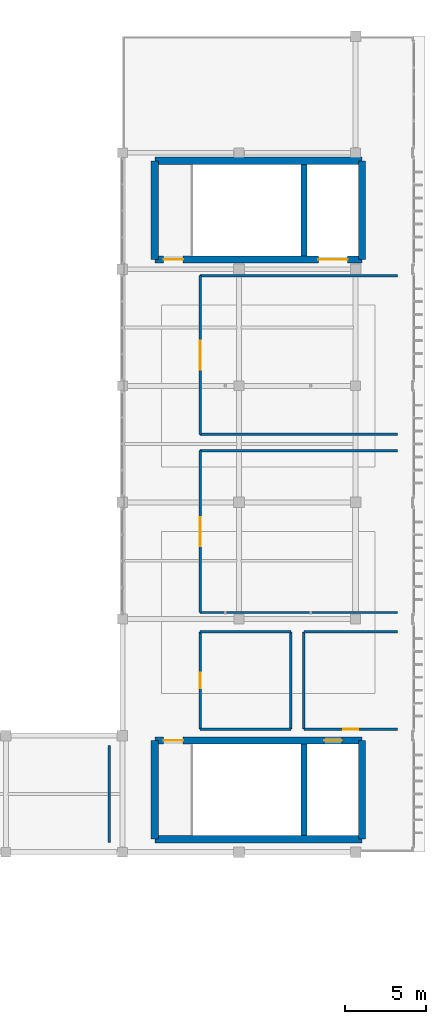
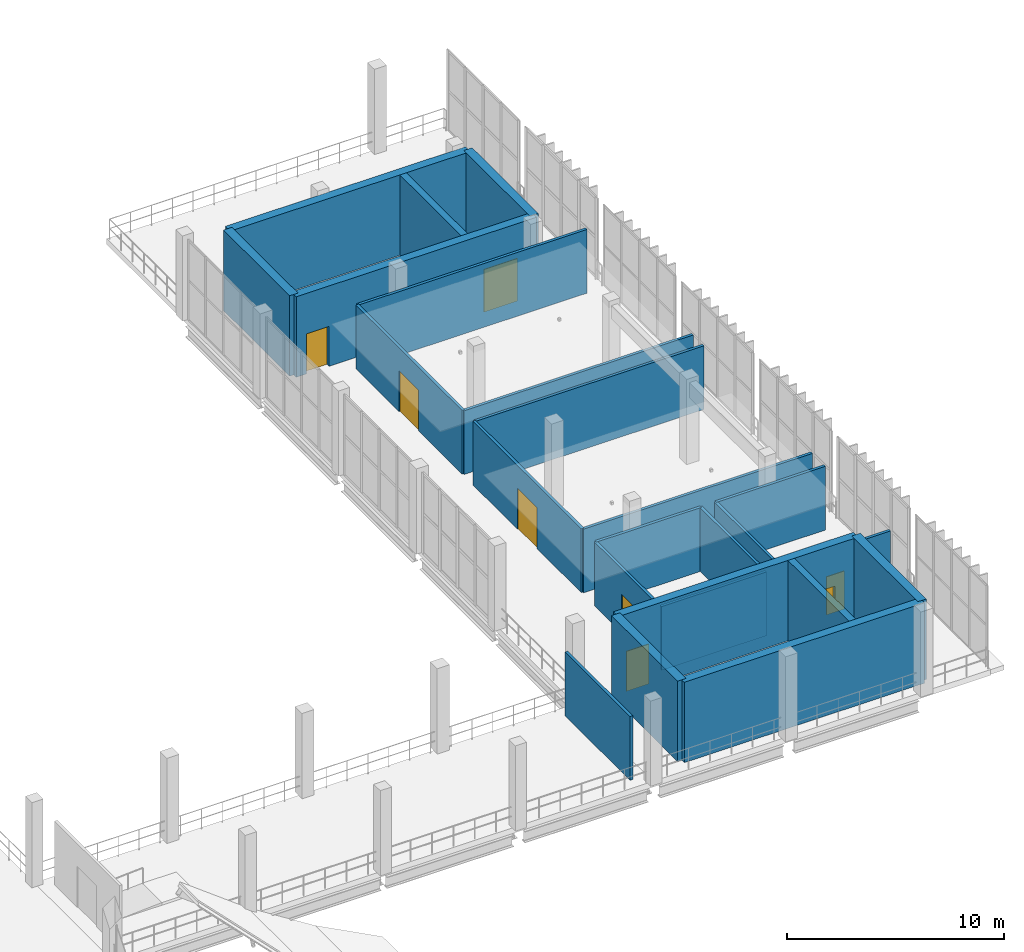
# One storey, part 87 of 105: 24 walls, 8 doors, 8 openings.
"""IFC4 building model written with IfcOpenShell, lengths in metres."""

from ifc_helpers import new_model, si_unit, direction, frame, frame_2d, origin, place, context, subcontext, project, spatial, rectangle, extrude, material, layer, layer_set, type_object, element, fill, save


model = new_model("IFC4")

# Units and contexts
model_context = context("Model", 3, precision=1e-05, world=origin(), true_north=direction((0.0, 1.0)))
body_context = subcontext(model_context, "Body", "Model", "MODEL_VIEW")
ifc_project = project(units=[si_unit("LENGTHUNIT", "METRE"), si_unit("AREAUNIT", "SQUARE_METRE"), si_unit("VOLUMEUNIT", "CUBIC_METRE"), si_unit("PLANEANGLEUNIT", "RADIAN"), si_unit("MASSUNIT", "GRAM", prefix="KILO")], contexts=[model_context])

# Site, building, storey
site_placement = place(None, origin())
site = spatial("IfcSite", under=ifc_project, at=site_placement, CompositionType="ELEMENT")
building_placement = place(site_placement, origin())
building = spatial("IfcBuilding", under=site, at=building_placement, Name="Qandorah Velis Arena", CompositionType="ELEMENT")
storey_placement = place(building_placement, frame((0.0, 0.0, 13.800048828125)))
storey = spatial("IfcBuildingStorey", under=building, at=storey_placement, Name="L03", CompositionType="ELEMENT", Elevation=13.800048828125)

# Walls
ifc_material_1 = material(Name="Concrete C35/45", Category="concrete")
ifc_layer_1 = layer(ifc_material_1, 0.14990234375)
ifc_layer_set_1 = layer_set([ifc_layer_1], Name="Concrete C35/45")
wall_type_1 = type_object("IfcWallType", Name="ARC-WAL-PART150", PredefinedType="PARTITIONING", material=ifc_layer_set_1)
for number, where, z_axis, x_axis, name in (
    (1, (156.0, 58.0, 0.0), (0.0, 0.0, 1.0), (1.0, 0.0, 0.0), "Interior partition L03-PRY-M (S)"),
    (2, (168.199951171875, 68.0, 0.0), (0.0, 0.0, 1.0), (-1.0, 0.0, 0.0), "Interior partition L03-PRY-M (N)"),
):
    element("IfcWall", number, at=place(storey_placement, frame(where, z_axis=z_axis, x_axis=x_axis)), inside=storey, type_object=wall_type_1, Name=name, PredefinedType="PARTITIONING", context=body_context, shape_type="SweptSolid", body=[
        extrude(rectangle(XDim=12.199951171875, YDim=0.14990234375, at=frame_2d((6.10009765625, 0.0))), origin(), (0.0, 0.0, 1.0), 3.58984375),
    ])

# Wall, opening, door
wall_1_placement = place(storey_placement, frame((156.0, 68.0, 0.0), z_axis=(0.0, 0.0, 1.0), x_axis=(0.0, -1.0, 0.0)))
wall_1 = element("IfcWall", 3, at=wall_1_placement, inside=storey, type_object=wall_type_1, Name="Interior partition L03-PRY-M (W)", PredefinedType="PARTITIONING", context=body_context, shape_type="SweptSolid", body=[
    extrude(rectangle(XDim=10.0, YDim=0.14990234375, at=frame_2d((5.0, 0.0))), origin(), (0.0, 0.0, 1.0), 3.58984375),
])
opening_1_placement = place(wall_1_placement, frame((4.10009765625, 0.0, 0.0)))
opening_1 = element("IfcOpeningElement", 4, at=opening_1_placement, cuts=wall_1, Name="Opening D3", PredefinedType="OPENING", context=body_context, shape_type="SweptSolid", body=[
    extrude(rectangle(XDim=1.800048828125, YDim=2.300048828125, at=frame_2d((0.89990234375, 1.14990234375))), frame((0.0, 0.0849609375, 0.0), z_axis=(0.0, -1.0, 0.0), x_axis=(1.0, 0.0, 0.0)), (0.0, 0.0, 1.0), 0.169921875),
])
ifc_material_2 = material(Name="Double-leaf acoustic timber door", Category="wood")
door_type_1 = type_object("IfcDoorType", Name="ARC-DR-DBL1800", OperationType="NOTDEFINED", PredefinedType="DOOR", material=ifc_material_2)
door_1_placement = place(opening_1_placement, origin())
door_1 = element("IfcDoor", 5, at=door_1_placement, inside=storey, type_object=door_type_1, Name="Door L03-PRY-M", OperationType="DOUBLE_DOOR_SINGLE_SWING", OverallHeight=2.300048828125, OverallWidth=1.800048828125, PredefinedType="DOOR", context=body_context, shape_type="SweptSolid", body=[
    extrude(rectangle(XDim=1.800048828125, YDim=2.300048828125, at=frame_2d((0.89990234375, 1.14990234375))), frame((0.0, 0.02490234375, 0.0), z_axis=(0.0, -1.0, 0.0), x_axis=(1.0, 0.0, 0.0)), (0.0, 0.0, 1.0), 0.050048828125),
])
fill(opening_1, door_1)

# Walls
for number, where, z_axis, x_axis, name in (
    (6, (156.0, 69.0, 0.0), (0.0, 0.0, 1.0), (1.0, 0.0, 0.0), "Interior partition L03-PRY-F (S)"),
    (7, (168.199951171875, 78.800048828125, 0.0), (0.0, 0.0, 1.0), (-1.0, 0.0, 0.0), "Interior partition L03-PRY-F (N)"),
):
    element("IfcWall", number, at=place(storey_placement, frame(where, z_axis=z_axis, x_axis=x_axis)), inside=storey, type_object=wall_type_1, Name=name, PredefinedType="PARTITIONING", context=body_context, shape_type="SweptSolid", body=[
        extrude(rectangle(XDim=12.199951171875, YDim=0.14990234375, at=frame_2d((6.10009765625, 0.0))), origin(), (0.0, 0.0, 1.0), 3.58984375),
    ])

# Wall, opening, door
wall_2_placement = place(storey_placement, frame((156.0, 78.800048828125, 0.0), z_axis=(0.0, 0.0, 1.0), x_axis=(0.0, -1.0, 0.0)))
wall_2 = element("IfcWall", 8, at=wall_2_placement, inside=storey, type_object=wall_type_1, Name="Interior partition L03-PRY-F (W)", PredefinedType="PARTITIONING", context=body_context, shape_type="SweptSolid", body=[
    extrude(rectangle(XDim=9.800048828125, YDim=0.14990234375, at=frame_2d((4.89990234375, 0.0))), origin(), (0.0, 0.0, 1.0), 3.58984375),
])
opening_2_placement = place(wall_2_placement, frame((4.0, 0.0, 0.0)))
opening_2 = element("IfcOpeningElement", 9, at=opening_2_placement, cuts=wall_2, Name="Opening D3", PredefinedType="OPENING", context=body_context, shape_type="SweptSolid", body=[
    extrude(rectangle(XDim=1.800048828125, YDim=2.300048828125, at=frame_2d((0.89990234375, 1.14990234375))), frame((0.0, 0.0849609375, 0.0), z_axis=(0.0, -1.0, 0.0), x_axis=(1.0, 0.0, 0.0)), (0.0, 0.0, 1.0), 0.169921875),
])
door_2_placement = place(opening_2_placement, frame((1.800048828125, 0.0, 0.0), z_axis=(0.0, 0.0, 1.0), x_axis=(-1.0, 0.0, 0.0)))
door_2 = element("IfcDoor", 10, at=door_2_placement, inside=storey, type_object=door_type_1, Name="Door L03-PRY-F", OperationType="DOUBLE_DOOR_SINGLE_SWING", OverallHeight=2.300048828125, OverallWidth=1.800048828125, PredefinedType="DOOR", context=body_context, shape_type="SweptSolid", body=[
    extrude(rectangle(XDim=1.800048828125, YDim=2.300048828125, at=frame_2d((0.89990234375, 1.14990234375))), frame((0.0, 0.02490234375, 0.0), z_axis=(0.0, -1.0, 0.0), x_axis=(1.0, 0.0, 0.0)), (0.0, 0.0, 1.0), 0.050048828125),
])
fill(opening_2, door_2)

# Walls
wall_3_placement = place(storey_placement, frame((156.0, 50.800048828125, 0.0), z_axis=(0.0, 0.0, 1.0), x_axis=(1.0, 0.0, 0.0)))
element("IfcWall", 11, at=wall_3_placement, inside=storey, type_object=wall_type_1, Name="Interior partition L03-ABL-M (S)", PredefinedType="PARTITIONING", context=body_context, shape_type="SweptSolid", body=[
    extrude(rectangle(XDim=5.60009765625, YDim=0.14990234375, at=frame_2d((2.800048828125, 0.0))), origin(), (0.0, 0.0, 1.0), 3.58984375),
])
wall_4_placement = place(storey_placement, frame((161.60009765625, 50.800048828125, 0.0), z_axis=(0.0, 0.0, 1.0), x_axis=(0.0, 1.0, 0.0)))
element("IfcWall", 12, at=wall_4_placement, inside=storey, type_object=wall_type_1, Name="Interior partition L03-ABL-M (E)", PredefinedType="PARTITIONING", context=body_context, shape_type="SweptSolid", body=[
    extrude(rectangle(XDim=6.0, YDim=0.14990234375, at=frame_2d((3.0, 0.0))), origin(), (0.0, 0.0, 1.0), 3.58984375),
])
wall_5_placement = place(storey_placement, frame((161.60009765625, 56.800048828125, 0.0), z_axis=(0.0, 0.0, 1.0), x_axis=(-1.0, 0.0, 0.0)))
element("IfcWall", 13, at=wall_5_placement, inside=storey, type_object=wall_type_1, Name="Interior partition L03-ABL-M (N)", PredefinedType="PARTITIONING", context=body_context, shape_type="SweptSolid", body=[
    extrude(rectangle(XDim=5.60009765625, YDim=0.14990234375, at=frame_2d((2.800048828125, 0.0))), origin(), (0.0, 0.0, 1.0), 3.58984375),
])

# Wall, opening, door
wall_6_placement = place(storey_placement, frame((156.0, 56.800048828125, 0.0), z_axis=(0.0, 0.0, 1.0), x_axis=(0.0, -1.0, 0.0)))
wall_6 = element("IfcWall", 14, at=wall_6_placement, inside=storey, type_object=wall_type_1, Name="Interior partition L03-ABL-M (W)", PredefinedType="PARTITIONING", context=body_context, shape_type="SweptSolid", body=[
    extrude(rectangle(XDim=6.0, YDim=0.14990234375, at=frame_2d((3.0, 0.0))), origin(), (0.0, 0.0, 1.0), 3.58984375),
])
opening_3_placement = place(wall_6_placement, frame((2.52490234375, 0.0, 0.0)))
opening_3 = element("IfcOpeningElement", 15, at=opening_3_placement, cuts=wall_6, Name="Opening D4", PredefinedType="OPENING", context=body_context, shape_type="SweptSolid", body=[
    extrude(rectangle(XDim=0.949951171875, YDim=2.14990234375, at=frame_2d((0.47509765625, 1.074951171875))), frame((0.0, 0.0849609375, 0.0), z_axis=(0.0, -1.0, 0.0), x_axis=(1.0, 0.0, 0.0)), (0.0, 0.0, 1.0), 0.169921875),
])
ifc_material_3 = material(Name="Moisture-resistant laminate door")
door_type_2 = type_object("IfcDoorType", Name="ARC-DR-WC950", OperationType="NOTDEFINED", PredefinedType="DOOR", material=ifc_material_3)
door_3_placement = place(opening_3_placement, origin())
door_3 = element("IfcDoor", 16, at=door_3_placement, inside=storey, type_object=door_type_2, Name="Door L03-ABL-M", OperationType="SINGLE_SWING_LEFT", OverallHeight=2.14990234375, OverallWidth=0.949951171875, PredefinedType="DOOR", context=body_context, shape_type="SweptSolid", body=[
    extrude(rectangle(XDim=0.949951171875, YDim=2.14990234375, at=frame_2d((0.47509765625, 1.074951171875))), frame((0.0, 0.02490234375, 0.0), z_axis=(0.0, -1.0, 0.0), x_axis=(1.0, 0.0, 0.0)), (0.0, 0.0, 1.0), 0.050048828125),
])
fill(opening_3, door_3)

wall_7_placement = place(storey_placement, frame((162.39990234375, 50.800048828125, 0.0), z_axis=(0.0, 0.0, 1.0), x_axis=(1.0, 0.0, 0.0)))
wall_7 = element("IfcWall", 17, at=wall_7_placement, inside=storey, type_object=wall_type_1, Name="Interior partition L03-ABL-F (S)", PredefinedType="PARTITIONING", context=body_context, shape_type="SweptSolid", body=[
    extrude(rectangle(XDim=5.800048828125, YDim=0.14990234375, at=frame_2d((2.89990234375, 0.0))), origin(), (0.0, 0.0, 1.0), 3.58984375),
])
opening_4_placement = place(wall_7_placement, frame((2.425048828125, 0.0, 0.0)))
opening_4 = element("IfcOpeningElement", 18, at=opening_4_placement, cuts=wall_7, Name="Opening D4", PredefinedType="OPENING", context=body_context, shape_type="SweptSolid", body=[
    extrude(rectangle(XDim=0.949951171875, YDim=2.14990234375, at=frame_2d((0.47509765625, 1.074951171875))), frame((0.0, 0.0849609375, 0.0), z_axis=(0.0, -1.0, 0.0), x_axis=(1.0, 0.0, 0.0)), (0.0, 0.0, 1.0), 0.169921875),
])
door_4_placement = place(opening_4_placement, frame((0.949951171875, 0.0, 0.0), z_axis=(0.0, 0.0, 1.0), x_axis=(-1.0, 0.0, 0.0)))
door_4 = element("IfcDoor", 19, at=door_4_placement, inside=storey, type_object=door_type_2, Name="Door L03-ABL-F", OperationType="SINGLE_SWING_RIGHT", OverallHeight=2.14990234375, OverallWidth=0.949951171875, PredefinedType="DOOR", context=body_context, shape_type="SweptSolid", body=[
    extrude(rectangle(XDim=0.949951171875, YDim=2.14990234375, at=frame_2d((0.47509765625, 1.074951171875))), frame((0.0, 0.02490234375, 0.0), z_axis=(0.0, -1.0, 0.0), x_axis=(1.0, 0.0, 0.0)), (0.0, 0.0, 1.0), 0.050048828125),
])
fill(opening_4, door_4)

# Walls
wall_8_placement = place(storey_placement, frame((168.199951171875, 56.800048828125, 0.0), z_axis=(0.0, 0.0, 1.0), x_axis=(-1.0, 0.0, 0.0)))
element("IfcWall", 20, at=wall_8_placement, inside=storey, type_object=wall_type_1, Name="Interior partition L03-ABL-F (N)", PredefinedType="PARTITIONING", context=body_context, shape_type="SweptSolid", body=[
    extrude(rectangle(XDim=5.800048828125, YDim=0.14990234375, at=frame_2d((2.89990234375, 0.0))), origin(), (0.0, 0.0, 1.0), 3.58984375),
])
for number, where, z_axis, x_axis, name in (
    (21, (162.39990234375, 56.800048828125, 0.0), (0.0, 0.0, 1.0), (0.0, -1.0, 0.0), "Interior partition L03-ABL-F (W)"),
    (22, (150.39990234375, 43.800048828125, 0.0), (0.0, 0.0, 1.0), (0.0, 1.0, 0.0), "Interior partition L03-FOOD-3 (E)"),
):
    element("IfcWall", number, at=place(storey_placement, frame(where, z_axis=z_axis, x_axis=x_axis)), inside=storey, type_object=wall_type_1, Name=name, PredefinedType="PARTITIONING", context=body_context, shape_type="SweptSolid", body=[
        extrude(rectangle(XDim=6.0, YDim=0.14990234375, at=frame_2d((3.0, 0.0))), origin(), (0.0, 0.0, 1.0), 3.58984375),
    ])
ifc_material_4 = material(Name="Concrete C40/50", Category="concrete")
ifc_layer_2 = layer(ifc_material_4, 0.449951171875)
ifc_layer_set_2 = layer_set([ifc_layer_2], Name="Concrete C40/50")
wall_type_2 = type_object("IfcWallType", Name="STR-WAL-CORE450", PredefinedType="SHEAR", material=ifc_layer_set_2)
wall_9_placement = place(storey_placement, frame((153.199951171875, 44.0, 0.0), z_axis=(0.0, 0.0, 1.0), x_axis=(1.0, 0.0, 0.0)))
element("IfcWall", 23, at=wall_9_placement, inside=storey, type_object=wall_type_2, Name="Core CORE-07 shear wall S (L03)", PredefinedType="SHEAR", context=body_context, shape_type="SweptSolid", body=[
    extrude(rectangle(XDim=12.800048828125, YDim=0.449951171875, at=frame_2d((6.39990234375, 0.0))), origin(), (0.0, 0.0, 1.0), 4.530029296875),
])

# Wall, openings, doors
wall_10_placement = place(storey_placement, frame((153.199951171875, 50.10009765625, 0.0), z_axis=(0.0, 0.0, 1.0), x_axis=(1.0, 0.0, 0.0)))
wall_10 = element("IfcWall", 24, at=wall_10_placement, inside=storey, type_object=wall_type_2, Name="Core CORE-07 shear wall N (L03)", PredefinedType="SHEAR", context=body_context, shape_type="SweptSolid", body=[
    extrude(rectangle(XDim=12.800048828125, YDim=0.449951171875, at=frame_2d((6.39990234375, 0.0))), origin(), (0.0, 0.0, 1.0), 4.530029296875),
])
opening_5_placement = place(wall_10_placement, frame((0.550048828125, 0.0, 0.0)))
opening_5 = element("IfcOpeningElement", 25, at=opening_5_placement, cuts=wall_10, Name="Opening SD1", PredefinedType="OPENING", context=body_context, shape_type="SweptSolid", body=[
    extrude(rectangle(XDim=1.199951171875, YDim=2.25, at=frame_2d((0.60009765625, 1.125))), frame((0.0, 0.23486328125, 0.0), z_axis=(0.0, -1.0, 0.0), x_axis=(1.0, 0.0, 0.0)), (0.0, 0.0, 1.0), 0.469970703125),
])
opening_6_placement = place(wall_10_placement, frame((10.4580078125, 0.0, 0.0)))
opening_6 = element("IfcOpeningElement", 26, at=opening_6_placement, cuts=wall_10, Name="Opening LD1", PredefinedType="OPENING", context=body_context, shape_type="SweptSolid", body=[
    extrude(rectangle(XDim=1.10009765625, YDim=2.199951171875, at=frame_2d((0.550048828125, 1.10009765625))), frame((0.0, 0.23486328125, 0.0), z_axis=(0.0, -1.0, 0.0), x_axis=(1.0, 0.0, 0.0)), (0.0, 0.0, 1.0), 0.469970703125),
])
ifc_material_5 = material(Name="Stainless steel sliding lift landing door", Category="steel")
door_type_3 = type_object("IfcDoorType", Name="ARC-DR-LD1100", OperationType="NOTDEFINED", PredefinedType="DOOR", material=ifc_material_5)
door_5_placement = place(opening_6_placement, origin())
door_5 = element("IfcDoor", 27, at=door_5_placement, inside=storey, type_object=door_type_3, Name="Lift PL5 sliding landing door (L03)", OperationType="SLIDING_TO_LEFT", OverallHeight=2.199951171875, OverallWidth=1.10009765625, PredefinedType="DOOR", context=body_context, shape_type="SweptSolid", body=[
    extrude(rectangle(XDim=1.10009765625, YDim=2.199951171875, at=frame_2d((0.550048828125, 1.10009765625))), frame((0.0, 0.02490234375, 0.0), z_axis=(0.0, -1.0, 0.0), x_axis=(1.0, 0.0, 0.0)), (0.0, 0.0, 1.0), 0.050048828125),
])
fill(opening_6, door_5)
ifc_material_6 = material(Name="Self-closing fire-rated stair steel door", Category="steel")
door_type_4 = type_object("IfcDoorType", Name="ARC-DR-ST1200", OperationType="NOTDEFINED", PredefinedType="DOOR", material=ifc_material_6)
door_6_placement = place(opening_5_placement, frame((1.199951171875, 0.0, 0.0), z_axis=(0.0, 0.0, 1.0), x_axis=(-1.0, 0.0, 0.0)))
door_6 = element("IfcDoor", 28, at=door_6_placement, inside=storey, type_object=door_type_4, Name="Stair ST7 fire door (L03)", OperationType="SINGLE_SWING_RIGHT", OverallHeight=2.25, OverallWidth=1.199951171875, PredefinedType="DOOR", context=body_context, shape_type="SweptSolid", body=[
    extrude(rectangle(XDim=1.199951171875, YDim=2.25, at=frame_2d((0.60009765625, 1.125))), frame((0.0, 0.02490234375, 0.0), z_axis=(0.0, -1.0, 0.0), x_axis=(1.0, 0.0, 0.0)), (0.0, 0.0, 1.0), 0.050048828125),
])
fill(opening_5, door_6)

# Walls
for number, where, z_axis, x_axis, name in (
    (29, (153.199951171875, 44.0, 0.0), (0.0, 0.0, 1.0), (0.0, 1.0, 0.0), "Core CORE-07 shear wall W (L03)"),
    (30, (166.0, 44.0, 0.0), (0.0, 0.0, 1.0), (0.0, 1.0, 0.0), "Core CORE-07 shear wall E (L03)"),
):
    element("IfcWall", number, at=place(storey_placement, frame(where, z_axis=z_axis, x_axis=x_axis)), inside=storey, type_object=wall_type_2, Name=name, PredefinedType="SHEAR", context=body_context, shape_type="SweptSolid", body=[
        extrude(rectangle(XDim=6.10009765625, YDim=0.449951171875, at=frame_2d((3.050048828125, 0.0))), origin(), (0.0, 0.0, 1.0), 4.530029296875),
    ])

# Wall, openings, doors
wall_11_placement = place(storey_placement, frame((153.199951171875, 79.800048828125, 0.0), z_axis=(0.0, 0.0, 1.0), x_axis=(1.0, 0.0, 0.0)))
wall_11 = element("IfcWall", 31, at=wall_11_placement, inside=storey, type_object=wall_type_2, Name="Core CORE-08 shear wall S (L03)", PredefinedType="SHEAR", context=body_context, shape_type="SweptSolid", body=[
    extrude(rectangle(XDim=12.800048828125, YDim=0.449951171875, at=frame_2d((6.39990234375, 0.0))), origin(), (0.0, 0.0, 1.0), 4.530029296875),
])
opening_7_placement = place(wall_11_placement, frame((0.550048828125, 0.0, 0.0)))
opening_7 = element("IfcOpeningElement", 32, at=opening_7_placement, cuts=wall_11, Name="Opening SD1", PredefinedType="OPENING", context=body_context, shape_type="SweptSolid", body=[
    extrude(rectangle(XDim=1.199951171875, YDim=2.25, at=frame_2d((0.60009765625, 1.125))), frame((0.0, 0.23486328125, 0.0), z_axis=(0.0, -1.0, 0.0), x_axis=(1.0, 0.0, 0.0)), (0.0, 0.0, 1.0), 0.469970703125),
])
opening_8_placement = place(wall_11_placement, frame((10.10791015625, 0.0, 0.0)))
opening_8 = element("IfcOpeningElement", 33, at=opening_8_placement, cuts=wall_11, Name="Opening LD3", PredefinedType="OPENING", context=body_context, shape_type="SweptSolid", body=[
    extrude(rectangle(XDim=1.800048828125, YDim=2.39990234375, at=frame_2d((0.89990234375, 1.199951171875))), frame((0.0, 0.23486328125, 0.0), z_axis=(0.0, -1.0, 0.0), x_axis=(1.0, 0.0, 0.0)), (0.0, 0.0, 1.0), 0.469970703125),
])
ifc_material_7 = material(Name="Goods stainless bi-parting lift landing door", Category="steel")
door_type_5 = type_object("IfcDoorType", Name="ARC-DR-LD1800", OperationType="NOTDEFINED", PredefinedType="DOOR", material=ifc_material_7)
door_7_placement = place(opening_8_placement, origin())
door_7 = element("IfcDoor", 34, at=door_7_placement, inside=storey, type_object=door_type_5, Name="Lift GL1 sliding landing door (L03)", OperationType="SLIDING_TO_LEFT", OverallHeight=2.39990234375, OverallWidth=1.800048828125, PredefinedType="DOOR", context=body_context, shape_type="SweptSolid", body=[
    extrude(rectangle(XDim=1.800048828125, YDim=2.39990234375, at=frame_2d((0.89990234375, 1.199951171875))), frame((0.0, 0.02490234375, 0.0), z_axis=(0.0, -1.0, 0.0), x_axis=(1.0, 0.0, 0.0)), (0.0, 0.0, 1.0), 0.050048828125),
])
fill(opening_8, door_7)
door_8_placement = place(opening_7_placement, origin())
door_8 = element("IfcDoor", 35, at=door_8_placement, inside=storey, type_object=door_type_4, Name="Stair ST8 fire door (L03)", OperationType="SINGLE_SWING_LEFT", OverallHeight=2.25, OverallWidth=1.199951171875, PredefinedType="DOOR", context=body_context, shape_type="SweptSolid", body=[
    extrude(rectangle(XDim=1.199951171875, YDim=2.25, at=frame_2d((0.60009765625, 1.125))), frame((0.0, 0.02490234375, 0.0), z_axis=(0.0, -1.0, 0.0), x_axis=(1.0, 0.0, 0.0)), (0.0, 0.0, 1.0), 0.050048828125),
])
fill(opening_7, door_8)

# Walls
wall_12_placement = place(storey_placement, frame((153.199951171875, 85.89990234375, 0.0), z_axis=(0.0, 0.0, 1.0), x_axis=(1.0, 0.0, 0.0)))
element("IfcWall", 36, at=wall_12_placement, inside=storey, type_object=wall_type_2, Name="Core CORE-08 shear wall N (L03)", PredefinedType="SHEAR", context=body_context, shape_type="SweptSolid", body=[
    extrude(rectangle(XDim=12.800048828125, YDim=0.449951171875, at=frame_2d((6.39990234375, 0.0))), origin(), (0.0, 0.0, 1.0), 4.530029296875),
])
for number, where, z_axis, x_axis, name in (
    (37, (153.199951171875, 79.800048828125, 0.0), (0.0, 0.0, 1.0), (0.0, 1.0, 0.0), "Core CORE-08 shear wall W (L03)"),
    (38, (166.0, 79.800048828125, 0.0), (0.0, 0.0, 1.0), (0.0, 1.0, 0.0), "Core CORE-08 shear wall E (L03)"),
):
    element("IfcWall", number, at=place(storey_placement, frame(where, z_axis=z_axis, x_axis=x_axis)), inside=storey, type_object=wall_type_2, Name=name, PredefinedType="SHEAR", context=body_context, shape_type="SweptSolid", body=[
        extrude(rectangle(XDim=6.099853515625, YDim=0.449951171875, at=frame_2d((3.0498046875, 0.0))), origin(), (0.0, 0.0, 1.0), 4.530029296875),
    ])
ifc_layer_3 = layer(ifc_material_4, 0.35009765625)
ifc_layer_set_3 = layer_set([ifc_layer_3], Name="Concrete C40/50")
wall_type_3 = type_object("IfcWallType", Name="STR-WAL-SH350", PredefinedType="SHEAR", material=ifc_layer_set_3)
wall_13_placement = place(storey_placement, frame((162.416015625, 44.22509765625, 0.0), z_axis=(0.0, 0.0, 1.0), x_axis=(0.0, 1.0, 0.0)))
element("IfcWall", 39, at=wall_13_placement, inside=storey, type_object=wall_type_3, Name="Core CORE-07 shaft divider shear wall (L03)", PredefinedType="SHEAR", context=body_context, shape_type="SweptSolid", body=[
    extrude(rectangle(XDim=5.64990234375, YDim=0.35009765625, at=frame_2d((2.824951171875, 0.0))), origin(), (0.0, 0.0, 1.0), 4.530029296875),
])
wall_14_placement = place(storey_placement, frame((162.416015625, 80.02490234375, 0.0), z_axis=(0.0, 0.0, 1.0), x_axis=(0.0, 1.0, 0.0)))
element("IfcWall", 40, at=wall_14_placement, inside=storey, type_object=wall_type_3, Name="Core CORE-08 shaft divider shear wall (L03)", PredefinedType="SHEAR", context=body_context, shape_type="SweptSolid", body=[
    extrude(rectangle(XDim=5.650146484375, YDim=0.35009765625, at=frame_2d((2.8251953125, 0.0))), origin(), (0.0, 0.0, 1.0), 4.530029296875),
])

save(model, "model.ifc")
